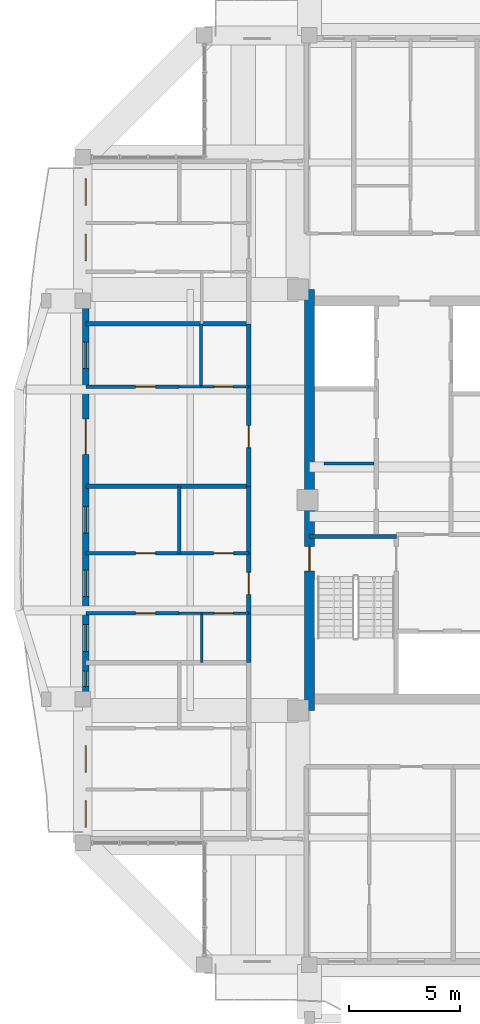
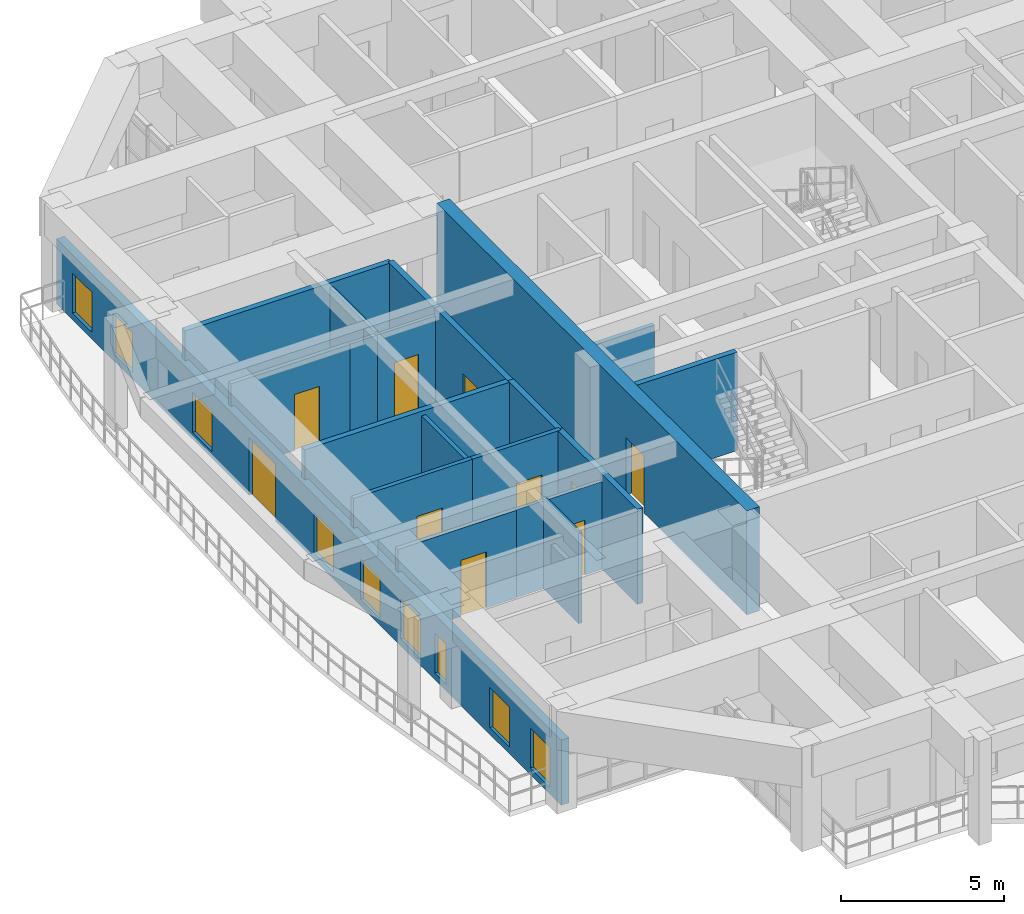
# One storey, part 17 of 27: 22 walls, 10 doors, 9 windows, 19 openings.
"""IFC4 building model written with IfcOpenShell, lengths in metres."""

from ifc_helpers import new_model, si_unit, direction, frame, frame_2d, origin, place, context, subcontext, project, spatial, rectangle, extrude, source, transform, mapped, material, layer, layer_set, type_object, element, fill, save


model = new_model("IFC4")

# Units and contexts
model_context = context("Model", 3, precision=1e-05, world=origin(), true_north=direction((0.0, 1.0)))
body_context = subcontext(model_context, "Body", "Model", "MODEL_VIEW")
ifc_project = project(units=[si_unit("LENGTHUNIT", "METRE"), si_unit("AREAUNIT", "SQUARE_METRE"), si_unit("VOLUMEUNIT", "CUBIC_METRE"), si_unit("PLANEANGLEUNIT", "RADIAN"), si_unit("MASSUNIT", "GRAM", prefix="KILO")], contexts=[model_context])

# Site, building, storey
site_placement = place(None, origin())
site = spatial("IfcSite", under=ifc_project, at=site_placement, CompositionType="ELEMENT")
building_placement = place(site_placement, origin())
building = spatial("IfcBuilding", under=site, at=building_placement, Name="Saelheon Loggia Tower", CompositionType="ELEMENT")
storey_placement = place(building_placement, frame((0.0, 0.0, 236.10009765625)))
storey = spatial("IfcBuildingStorey", under=building, at=storey_placement, Name="L73", CompositionType="ELEMENT", Elevation=236.10009765625)

# Wall, opening, door
ifc_material_1 = material(Name="Concrete C45/55", Category="concrete")
ifc_layer_1 = layer(ifc_material_1, 0.449951171875)
ifc_layer_set_1 = layer_set([ifc_layer_1], Name="Concrete C45/55")
wall_type_1 = type_object("IfcWallType", Name="Wall_CoreShear_450", PredefinedType="SHEAR", material=ifc_layer_set_1)
wall_1_placement = place(storey_placement, frame((31.5, 17.47998046875, 0.0), z_axis=(0.0, 0.0, 1.0), x_axis=(0.0, 1.0, 0.0)))
wall_1 = element("IfcWall", 1, at=wall_1_placement, inside=storey, type_object=wall_type_1, Name="L73 Core Shear Wall West", PredefinedType="SHEAR", context=body_context, shape_type="SweptSolid", body=[
    extrude(rectangle(XDim=19.0400390625, YDim=0.449951171875, at=frame_2d((9.52001953125, 0.0))), origin(), (0.0, 0.0, 1.0), 3.89990234375),
])
opening_1_placement = place(wall_1_placement, frame((6.320068359375, 0.0, 0.0)))
opening_1 = element("IfcOpeningElement", 2, at=opening_1_placement, cuts=wall_1, Name="Opening D-FD2", PredefinedType="OPENING", context=body_context, shape_type="SweptSolid", body=[
    extrude(rectangle(XDim=1.10009765625, YDim=2.14990234375, at=frame_2d((0.550048828125, 1.074951171875))), frame((0.0, 0.237060546875, 0.0), z_axis=(0.0, -1.0, 0.0), x_axis=(1.0, 0.0, 0.0)), (0.0, 0.0, 1.0), 0.473876953125),
])
ifc_material_2 = material(Name="Galvanised Steel Fire Door", Category="steel")
door_type_1 = type_object("IfcDoorType", Name="Door_Fire_FD60_1100", OperationType="NOTDEFINED", PredefinedType="DOOR", material=ifc_material_2)
shared_shape_1 = source(origin(), body_context, "Body", "SweptSolid", [
    extrude(rectangle(XDim=1.10009765625, YDim=2.14990234375, at=frame_2d((0.550048828125, 1.074951171875))), frame((0.0, 0.02490234375, 0.0), z_axis=(0.0, -1.0, 0.0), x_axis=(1.0, 0.0, 0.0)), (0.0, 0.0, 1.0), 0.050048828125),
])
door_1_placement = place(opening_1_placement, origin())
door_1 = element("IfcDoor", 3, at=door_1_placement, inside=storey, type_object=door_type_1, Name="L73 Stair ST1 Corridor Door", OperationType="SINGLE_SWING_LEFT", OverallHeight=2.14990234375, OverallWidth=1.10009765625, PredefinedType="DOOR", context=body_context, shape_type="MappedRepresentation", body=[
    mapped(shared_shape_1, transform((0.0, 0.0, 0.0), scale=1.0)),
])
fill(opening_1, door_1)

# Wall, openings, windows, door
ifc_material_3 = material(Name="Architectural Precast Concrete C40/50", Category="concrete")
ifc_layer_2 = layer(ifc_material_3, 0.280029296875)
ifc_layer_set_2 = layer_set([ifc_layer_2], Name="Architectural Precast Concrete C40/50")
wall_type_2 = type_object("IfcWallType", Name="Wall_Ext_Loggia_280", PredefinedType="SOLIDWALL", material=ifc_layer_set_2)
wall_2_placement = place(storey_placement, frame((21.389892578125, 11.5, 0.0), z_axis=(0.0, 0.0, 1.0), x_axis=(0.0, 1.0, 0.0)))
wall_2 = element("IfcWall", 4, at=wall_2_placement, inside=storey, type_object=wall_type_2, Name="L73 West Loggia Inner Wall", PredefinedType="SOLIDWALL", context=body_context, shape_type="SweptSolid", body=[
    extrude(rectangle(XDim=31.0, YDim=0.280029296875, at=frame_2d((15.5, 0.0))), origin(), (0.0, 0.0, 1.0), 2.43994140625),
])
opening_2_placement = place(wall_2_placement, frame((0.7001953125, 0.0, 0.25)))
opening_2 = element("IfcOpeningElement", 5, at=opening_2_placement, cuts=wall_2, Name="Opening WN-03", PredefinedType="OPENING", context=body_context, shape_type="SweptSolid", body=[
    extrude(rectangle(XDim=1.199951171875, YDim=1.5, at=frame_2d((0.60009765625, 0.75))), frame((0.0, 0.152099609375, 0.0), z_axis=(0.0, -1.0, 0.0), x_axis=(1.0, 0.0, 0.0)), (0.0, 0.0, 1.0), 0.303955078125),
])
opening_3_placement = place(wall_2_placement, frame((3.1953125, 0.0, 0.25)))
opening_3 = element("IfcOpeningElement", 6, at=opening_3_placement, cuts=wall_2, Name="Opening WN-03", PredefinedType="OPENING", context=body_context, shape_type="SweptSolid", body=[
    extrude(rectangle(XDim=1.199951171875, YDim=1.5, at=frame_2d((0.60009765625, 0.75))), frame((0.0, 0.152099609375, 0.0), z_axis=(0.0, -1.0, 0.0), x_axis=(1.0, 0.0, 0.0)), (0.0, 0.0, 1.0), 0.303955078125),
])
opening_4_placement = place(wall_2_placement, frame((7.068115234375, 0.0, 0.25)))
opening_4 = element("IfcOpeningElement", 7, at=opening_4_placement, cuts=wall_2, Name="Opening WN-06", PredefinedType="OPENING", context=body_context, shape_type="SweptSolid", body=[
    extrude(rectangle(XDim=0.699951171875, YDim=1.5, at=frame_2d((0.35009765625, 0.75))), frame((0.0, 0.152099609375, 0.0), z_axis=(0.0, -1.0, 0.0), x_axis=(1.0, 0.0, 0.0)), (0.0, 0.0, 1.0), 0.303955078125),
])
opening_5_placement = place(wall_2_placement, frame((8.66162109375, 0.0, 0.25)))
opening_5 = element("IfcOpeningElement", 8, at=opening_5_placement, cuts=wall_2, Name="Opening WN-03", PredefinedType="OPENING", context=body_context, shape_type="SweptSolid", body=[
    extrude(rectangle(XDim=1.199951171875, YDim=1.5, at=frame_2d((0.60009765625, 0.75))), frame((0.0, 0.152099609375, 0.0), z_axis=(0.0, -1.0, 0.0), x_axis=(1.0, 0.0, 0.0)), (0.0, 0.0, 1.0), 0.303955078125),
])
opening_6_placement = place(wall_2_placement, frame((11.13134765625, 0.0, 0.25)))
opening_6 = element("IfcOpeningElement", 9, at=opening_6_placement, cuts=wall_2, Name="Opening WN-03", PredefinedType="OPENING", context=body_context, shape_type="SweptSolid", body=[
    extrude(rectangle(XDim=1.199951171875, YDim=1.5, at=frame_2d((0.60009765625, 0.75))), frame((0.0, 0.152099609375, 0.0), z_axis=(0.0, -1.0, 0.0), x_axis=(1.0, 0.0, 0.0)), (0.0, 0.0, 1.0), 0.303955078125),
])
opening_7_placement = place(wall_2_placement, frame((13.999267578125, 0.0, 0.25)))
opening_7 = element("IfcOpeningElement", 10, at=opening_7_placement, cuts=wall_2, Name="Opening WN-03", PredefinedType="OPENING", context=body_context, shape_type="SweptSolid", body=[
    extrude(rectangle(XDim=1.199951171875, YDim=1.5, at=frame_2d((0.60009765625, 0.75))), frame((0.0, 0.152099609375, 0.0), z_axis=(0.0, -1.0, 0.0), x_axis=(1.0, 0.0, 0.0)), (0.0, 0.0, 1.0), 0.303955078125),
])
opening_8_placement = place(wall_2_placement, frame((17.564697265625, 0.0, 0.0)))
opening_8 = element("IfcOpeningElement", 11, at=opening_8_placement, cuts=wall_2, Name="Opening DLG-1", PredefinedType="OPENING", context=body_context, shape_type="SweptSolid", body=[
    extrude(rectangle(XDim=1.60009765625, YDim=2.14990234375, at=frame_2d((0.800048828125, 1.074951171875))), frame((0.0, 0.152099609375, 0.0), z_axis=(0.0, -1.0, 0.0), x_axis=(1.0, 0.0, 0.0)), (0.0, 0.0, 1.0), 0.303955078125),
])
opening_9_placement = place(wall_2_placement, frame((21.44140625, 0.0, 0.25)))
opening_9 = element("IfcOpeningElement", 12, at=opening_9_placement, cuts=wall_2, Name="Opening WN-03", PredefinedType="OPENING", context=body_context, shape_type="SweptSolid", body=[
    extrude(rectangle(XDim=1.199951171875, YDim=1.5, at=frame_2d((0.60009765625, 0.75))), frame((0.0, 0.152099609375, 0.0), z_axis=(0.0, -1.0, 0.0), x_axis=(1.0, 0.0, 0.0)), (0.0, 0.0, 1.0), 0.303955078125),
])
opening_10_placement = place(wall_2_placement, frame((26.32275390625, 0.0, 0.25)))
opening_10 = element("IfcOpeningElement", 13, at=opening_10_placement, cuts=wall_2, Name="Opening WN-03", PredefinedType="OPENING", context=body_context, shape_type="SweptSolid", body=[
    extrude(rectangle(XDim=1.199951171875, YDim=1.5, at=frame_2d((0.60009765625, 0.75))), frame((0.0, 0.152099609375, 0.0), z_axis=(0.0, -1.0, 0.0), x_axis=(1.0, 0.0, 0.0)), (0.0, 0.0, 1.0), 0.303955078125),
])
opening_11_placement = place(wall_2_placement, frame((28.81787109375, 0.0, 0.25)))
opening_11 = element("IfcOpeningElement", 14, at=opening_11_placement, cuts=wall_2, Name="Opening WN-03", PredefinedType="OPENING", context=body_context, shape_type="SweptSolid", body=[
    extrude(rectangle(XDim=1.199951171875, YDim=1.5, at=frame_2d((0.60009765625, 0.75))), frame((0.0, 0.152099609375, 0.0), z_axis=(0.0, -1.0, 0.0), x_axis=(1.0, 0.0, 0.0)), (0.0, 0.0, 1.0), 0.303955078125),
])
ifc_material_4 = material(Name="Thermal-Break Aluminium and Triple Low-E Glass", Category="aluminium")
window_type_1 = type_object("IfcWindowType", Name="Win_Slot_700x1500", PartitioningType="SINGLE_PANEL", PredefinedType="WINDOW", material=ifc_material_4)
shared_shape_2 = source(origin(), body_context, "Body", "SweptSolid", [
    extrude(rectangle(XDim=0.699951171875, YDim=1.5, at=frame_2d((0.35009765625, 0.75))), frame((0.0, 0.030029296875, 0.0), z_axis=(0.0, -1.0, 0.0), x_axis=(1.0, 0.0, 0.0)), (0.0, 0.0, 1.0), 0.06005859375),
])
window_1_placement = place(opening_4_placement, origin())
window_1 = element("IfcWindow", 15, at=window_1_placement, inside=storey, type_object=window_type_1, Name="L73 W Dwelling Window 3", OverallHeight=1.5, OverallWidth=0.699951171875, PartitioningType="SINGLE_PANEL", PredefinedType="WINDOW", context=body_context, shape_type="MappedRepresentation", body=[
    mapped(shared_shape_2, transform((0.0, 0.0, 0.0), scale=1.0)),
])
fill(opening_4, window_1)
window_type_2 = type_object("IfcWindowType", Name="Win_Bedroom_1200x1500", PartitioningType="SINGLE_PANEL", PredefinedType="WINDOW", material=ifc_material_4)
shared_shape_3 = source(origin(), body_context, "Body", "SweptSolid", [
    extrude(rectangle(XDim=1.199951171875, YDim=1.5, at=frame_2d((0.60009765625, 0.75))), frame((0.0, 0.030029296875, 0.0), z_axis=(0.0, -1.0, 0.0), x_axis=(1.0, 0.0, 0.0)), (0.0, 0.0, 1.0), 0.06005859375),
])
window_2_placement = place(opening_2_placement, origin())
window_2 = element("IfcWindow", 16, at=window_2_placement, inside=storey, type_object=window_type_2, Name="L73 W Dwelling Window 1", OverallHeight=1.5, OverallWidth=1.199951171875, PartitioningType="SINGLE_PANEL", PredefinedType="WINDOW", context=body_context, shape_type="MappedRepresentation", body=[
    mapped(shared_shape_3, transform((0.0, 0.0, 0.0), scale=1.0)),
])
fill(opening_2, window_2)
window_3_placement = place(opening_3_placement, origin())
window_3 = element("IfcWindow", 17, at=window_3_placement, inside=storey, type_object=window_type_2, Name="L73 W Dwelling Window 2", OverallHeight=1.5, OverallWidth=1.199951171875, PartitioningType="SINGLE_PANEL", PredefinedType="WINDOW", context=body_context, shape_type="MappedRepresentation", body=[
    mapped(shared_shape_3, transform((0.0, 0.0, 0.0), scale=1.0)),
])
fill(opening_3, window_3)
window_4_placement = place(opening_5_placement, origin())
window_4 = element("IfcWindow", 18, at=window_4_placement, inside=storey, type_object=window_type_2, Name="L73 W Dwelling Window 4", OverallHeight=1.5, OverallWidth=1.199951171875, PartitioningType="SINGLE_PANEL", PredefinedType="WINDOW", context=body_context, shape_type="MappedRepresentation", body=[
    mapped(shared_shape_3, transform((0.0, 0.0, 0.0), scale=1.0)),
])
fill(opening_5, window_4)
window_5_placement = place(opening_6_placement, origin())
window_5 = element("IfcWindow", 19, at=window_5_placement, inside=storey, type_object=window_type_2, Name="L73 W Dwelling Window 5", OverallHeight=1.5, OverallWidth=1.199951171875, PartitioningType="SINGLE_PANEL", PredefinedType="WINDOW", context=body_context, shape_type="MappedRepresentation", body=[
    mapped(shared_shape_3, transform((0.0, 0.0, 0.0), scale=1.0)),
])
fill(opening_6, window_5)
window_6_placement = place(opening_7_placement, origin())
window_6 = element("IfcWindow", 20, at=window_6_placement, inside=storey, type_object=window_type_2, Name="L73 W Dwelling Window 6", OverallHeight=1.5, OverallWidth=1.199951171875, PartitioningType="SINGLE_PANEL", PredefinedType="WINDOW", context=body_context, shape_type="MappedRepresentation", body=[
    mapped(shared_shape_3, transform((0.0, 0.0, 0.0), scale=1.0)),
])
fill(opening_7, window_6)
window_7_placement = place(opening_9_placement, origin())
window_7 = element("IfcWindow", 21, at=window_7_placement, inside=storey, type_object=window_type_2, Name="L73 W Dwelling Window 8", OverallHeight=1.5, OverallWidth=1.199951171875, PartitioningType="SINGLE_PANEL", PredefinedType="WINDOW", context=body_context, shape_type="MappedRepresentation", body=[
    mapped(shared_shape_3, transform((0.0, 0.0, 0.0), scale=1.0)),
])
fill(opening_9, window_7)
window_8_placement = place(opening_10_placement, origin())
window_8 = element("IfcWindow", 22, at=window_8_placement, inside=storey, type_object=window_type_2, Name="L73 W Dwelling Window 9", OverallHeight=1.5, OverallWidth=1.199951171875, PartitioningType="SINGLE_PANEL", PredefinedType="WINDOW", context=body_context, shape_type="MappedRepresentation", body=[
    mapped(shared_shape_3, transform((0.0, 0.0, 0.0), scale=1.0)),
])
fill(opening_10, window_8)
window_9_placement = place(opening_11_placement, origin())
window_9 = element("IfcWindow", 23, at=window_9_placement, inside=storey, type_object=window_type_2, Name="L73 W Dwelling Window 10", OverallHeight=1.5, OverallWidth=1.199951171875, PartitioningType="SINGLE_PANEL", PredefinedType="WINDOW", context=body_context, shape_type="MappedRepresentation", body=[
    mapped(shared_shape_3, transform((0.0, 0.0, 0.0), scale=1.0)),
])
fill(opening_11, window_9)
ifc_material_5 = material(Name="Thermal-Break Aluminium Sliding Glazed Door", Category="aluminium")
door_type_2 = type_object("IfcDoorType", Name="Door_LoggiaSlide_1600", OperationType="SLIDING_TO_LEFT", PredefinedType="DOOR", material=ifc_material_5)
shared_shape_4 = source(origin(), body_context, "Body", "SweptSolid", [
    extrude(rectangle(XDim=1.60009765625, YDim=2.14990234375, at=frame_2d((0.800048828125, 1.074951171875))), frame((0.0, 0.02490234375, 0.0), z_axis=(0.0, -1.0, 0.0), x_axis=(1.0, 0.0, 0.0)), (0.0, 0.0, 1.0), 0.050048828125),
])
door_2_placement = place(opening_8_placement, origin())
door_2 = element("IfcDoor", 24, at=door_2_placement, inside=storey, type_object=door_type_2, Name="L73 W Loggia Access Door", OperationType="SLIDING_TO_LEFT", OverallHeight=2.14990234375, OverallWidth=1.60009765625, PredefinedType="DOOR", context=body_context, shape_type="MappedRepresentation", body=[
    mapped(shared_shape_4, transform((0.0, 0.0, 0.0), scale=1.0)),
])
fill(opening_8, door_2)

# Walls
ifc_material_6 = material(Name="Lightweight Autoclaved Aerated Concrete Block and Acoustic Gypsum", Category="concrete")
ifc_layer_3 = layer(ifc_material_6, 0.14990234375)
ifc_layer_set_3 = layer_set([ifc_layer_3], Name="Lightweight Autoclaved Aerated Concrete Block and Acoustic Gypsum")
wall_type_3 = type_object("IfcWallType", Name="Wall_Part_150", PredefinedType="PARTITIONING", material=ifc_layer_set_3)
wall_3_placement = place(storey_placement, frame((32.14990234375, 28.64990234375, 0.0), z_axis=(0.0, 0.0, 1.0), x_axis=(1.0, 0.0, 0.0)))
element("IfcWall", 25, at=wall_3_placement, inside=storey, type_object=wall_type_3, Name="L73 Freed Core Partition PL", PredefinedType="PARTITIONING", context=body_context, shape_type="SweptSolid", body=[
    extrude(rectangle(XDim=2.27001953125, YDim=0.14990234375, at=frame_2d((1.135009765625, 0.0))), origin(), (0.0, 0.0, 1.0), 3.039794921875),
])
wall_4_placement = place(storey_placement, frame((25.610107421875, 24.585693359375, 0.0), z_axis=(0.0, 0.0, 1.0), x_axis=(0.0, 1.0, 0.0)))
element("IfcWall", 26, at=wall_4_placement, inside=storey, type_object=wall_type_3, Name="L73 W Partition V18", PredefinedType="PARTITIONING", context=body_context, shape_type="SweptSolid", body=[
    extrude(rectangle(XDim=3.027099609375, YDim=0.14990234375, at=frame_2d((1.513671875, 0.0))), origin(), (0.0, 0.0, 1.0), 3.389892578125),
])

# Wall, opening, door
wall_5_placement = place(storey_placement, frame((25.610107421875, 21.876953125, 0.0), z_axis=(0.0, 0.0, 1.0), x_axis=(-1.0, 0.0, 0.0)))
wall_5 = element("IfcWall", 27, at=wall_5_placement, inside=storey, type_object=wall_type_3, Name="L73 W Partition U21", PredefinedType="PARTITIONING", context=body_context, shape_type="SweptSolid", body=[
    extrude(rectangle(XDim=4.210205078125, YDim=0.14990234375, at=frame_2d((2.10498046875, 0.0))), origin(), (0.0, 0.0, 1.0), 3.289794921875),
])
opening_12_placement = place(wall_5_placement, frame((1.0654296875, 0.0, 0.0)))
opening_12 = element("IfcOpeningElement", 28, at=opening_12_placement, cuts=wall_5, Name="Opening D-IN2", PredefinedType="OPENING", context=body_context, shape_type="SweptSolid", body=[
    extrude(rectangle(XDim=0.89990234375, YDim=2.10009765625, at=frame_2d((0.449951171875, 1.050048828125))), frame((0.0, 0.0869140625, 0.0), z_axis=(0.0, -1.0, 0.0), x_axis=(1.0, 0.0, 0.0)), (0.0, 0.0, 1.0), 0.173828125),
])
ifc_material_7 = material(Name="Engineered Oak Flush Door", Category="timber")
door_type_3 = type_object("IfcDoorType", Name="Door_Int_900", OperationType="NOTDEFINED", PredefinedType="DOOR", material=ifc_material_7)
shared_shape_5 = source(origin(), body_context, "Body", "SweptSolid", [
    extrude(rectangle(XDim=0.89990234375, YDim=2.10009765625, at=frame_2d((0.449951171875, 1.050048828125))), frame((0.0, 0.02490234375, 0.0), z_axis=(0.0, -1.0, 0.0), x_axis=(1.0, 0.0, 0.0)), (0.0, 0.0, 1.0), 0.050048828125),
])
door_3_placement = place(opening_12_placement, origin())
door_3 = element("IfcDoor", 29, at=door_3_placement, inside=storey, type_object=door_type_3, Name="Unit U06 Kitchen Door", OperationType="SINGLE_SWING_LEFT", OverallHeight=2.10009765625, OverallWidth=0.89990234375, PredefinedType="DOOR", context=body_context, shape_type="MappedRepresentation", body=[
    mapped(shared_shape_5, transform((0.0, 0.0, 0.0), scale=1.0)),
])
fill(opening_12, door_3)

wall_6_placement = place(storey_placement, frame((28.75, 24.585693359375, 0.0), z_axis=(0.0, 0.0, 1.0), x_axis=(-1.0, 0.0, 0.0)))
wall_6 = element("IfcWall", 30, at=wall_6_placement, inside=storey, type_object=wall_type_3, Name="L73 W Partition U22", PredefinedType="PARTITIONING", context=body_context, shape_type="SweptSolid", body=[
    extrude(rectangle(XDim=3.139892578125, YDim=0.14990234375, at=frame_2d((1.56982421875, 0.0))), origin(), (0.0, 0.0, 1.0), 3.559814453125),
])
opening_13_placement = place(wall_6_placement, frame((0.679931640625, 0.0, 0.0)))
opening_13 = element("IfcOpeningElement", 31, at=opening_13_placement, cuts=wall_6, Name="Opening D-IN2", PredefinedType="OPENING", context=body_context, shape_type="SweptSolid", body=[
    extrude(rectangle(XDim=0.89990234375, YDim=2.10009765625, at=frame_2d((0.449951171875, 1.050048828125))), frame((0.0, 0.0869140625, 0.0), z_axis=(0.0, -1.0, 0.0), x_axis=(1.0, 0.0, 0.0)), (0.0, 0.0, 1.0), 0.173828125),
])
door_4_placement = place(opening_13_placement, origin())
door_4 = element("IfcDoor", 32, at=door_4_placement, inside=storey, type_object=door_type_3, Name="Unit U06 Dressing Closet Door", OperationType="SINGLE_SWING_RIGHT", OverallHeight=2.10009765625, OverallWidth=0.89990234375, PredefinedType="DOOR", context=body_context, shape_type="MappedRepresentation", body=[
    mapped(shared_shape_5, transform((0.0, 0.0, 0.0), scale=1.0)),
])
fill(opening_13, door_4)

wall_7_placement = place(storey_placement, frame((25.610107421875, 24.585693359375, 0.0), z_axis=(0.0, 0.0, 1.0), x_axis=(-1.0, 0.0, 0.0)))
wall_7 = element("IfcWall", 33, at=wall_7_placement, inside=storey, type_object=wall_type_3, Name="L73 W Partition U23", PredefinedType="PARTITIONING", context=body_context, shape_type="SweptSolid", body=[
    extrude(rectangle(XDim=4.210205078125, YDim=0.14990234375, at=frame_2d((2.10498046875, 0.0))), origin(), (0.0, 0.0, 1.0), 3.559814453125),
])
opening_14_placement = place(wall_7_placement, frame((1.0654296875, 0.0, 0.0)))
opening_14 = element("IfcOpeningElement", 34, at=opening_14_placement, cuts=wall_7, Name="Opening D-IN2", PredefinedType="OPENING", context=body_context, shape_type="SweptSolid", body=[
    extrude(rectangle(XDim=0.89990234375, YDim=2.10009765625, at=frame_2d((0.449951171875, 1.050048828125))), frame((0.0, 0.0869140625, 0.0), z_axis=(0.0, -1.0, 0.0), x_axis=(1.0, 0.0, 0.0)), (0.0, 0.0, 1.0), 0.173828125),
])
door_5_placement = place(opening_14_placement, origin())
door_5 = element("IfcDoor", 35, at=door_5_placement, inside=storey, type_object=door_type_3, Name="Unit U06 Bedroom 1 Door", OperationType="SINGLE_SWING_LEFT", OverallHeight=2.10009765625, OverallWidth=0.89990234375, PredefinedType="DOOR", context=body_context, shape_type="MappedRepresentation", body=[
    mapped(shared_shape_5, transform((0.0, 0.0, 0.0), scale=1.0)),
])
fill(opening_14, door_5)

wall_8_placement = place(storey_placement, frame((25.610107421875, 32.116455078125, 0.0), z_axis=(0.0, 0.0, 1.0), x_axis=(-1.0, 0.0, 0.0)))
wall_8 = element("IfcWall", 36, at=wall_8_placement, inside=storey, type_object=wall_type_3, Name="L73 W Partition U30", PredefinedType="PARTITIONING", context=body_context, shape_type="SweptSolid", body=[
    extrude(rectangle(XDim=4.210205078125, YDim=0.14990234375, at=frame_2d((2.10498046875, 0.0))), origin(), (0.0, 0.0, 1.0), 3.289794921875),
])
opening_15_placement = place(wall_8_placement, frame((1.0654296875, 0.0, 0.0)))
opening_15 = element("IfcOpeningElement", 37, at=opening_15_placement, cuts=wall_8, Name="Opening D-IN2", PredefinedType="OPENING", context=body_context, shape_type="SweptSolid", body=[
    extrude(rectangle(XDim=0.89990234375, YDim=2.10009765625, at=frame_2d((0.449951171875, 1.050048828125))), frame((0.0, 0.0869140625, 0.0), z_axis=(0.0, -1.0, 0.0), x_axis=(1.0, 0.0, 0.0)), (0.0, 0.0, 1.0), 0.173828125),
])
door_6_placement = place(opening_15_placement, origin())
door_6 = element("IfcDoor", 38, at=door_6_placement, inside=storey, type_object=door_type_3, Name="Unit U07 Kitchen Door", OperationType="SINGLE_SWING_RIGHT", OverallHeight=2.10009765625, OverallWidth=0.89990234375, PredefinedType="DOOR", context=body_context, shape_type="MappedRepresentation", body=[
    mapped(shared_shape_5, transform((0.0, 0.0, 0.0), scale=1.0)),
])
fill(opening_15, door_6)

# Wall
ifc_material_8 = material(Name="Double Acoustic Stud and Fireboard Partition", Category="gypsum")
ifc_layer_4 = layer(ifc_material_8, 0.199951171875)
ifc_layer_set_4 = layer_set([ifc_layer_4], Name="Double Acoustic Stud and Fireboard Partition")
wall_type_4 = type_object("IfcWallType", Name="Wall_Party_200", PredefinedType="PARTITIONING", material=ifc_layer_set_4)
wall_9_placement = place(storey_placement, frame((28.75, 19.646484375, 0.0), z_axis=(0.0, 0.0, 1.0), x_axis=(0.0, 1.0, 0.0)))
element("IfcWall", 39, at=wall_9_placement, inside=storey, type_object=wall_type_4, Name="L73 W Partition V14", PredefinedType="PARTITIONING", context=body_context, shape_type="SweptSolid", body=[
    extrude(rectangle(XDim=2.23046875, YDim=0.199951171875, at=frame_2d((1.115234375, 0.0))), origin(), (0.0, 0.0, 1.0), 3.559814453125),
])

# Wall, opening, door
wall_10_placement = place(storey_placement, frame((28.75, 21.876953125, 0.0), z_axis=(0.0, 0.0, 1.0), x_axis=(0.0, 1.0, 0.0)))
wall_10 = element("IfcWall", 40, at=wall_10_placement, inside=storey, type_object=wall_type_4, Name="L73 W Partition V15", PredefinedType="PARTITIONING", context=body_context, shape_type="SweptSolid", body=[
    extrude(rectangle(XDim=2.708740234375, YDim=0.199951171875, at=frame_2d((1.3544921875, 0.0))), origin(), (0.0, 0.0, 1.0), 3.559814453125),
])
opening_16_placement = place(wall_10_placement, frame((0.854248046875, 0.0, 0.0)))
opening_16 = element("IfcOpeningElement", 41, at=opening_16_placement, cuts=wall_10, Name="Opening D-FD1", PredefinedType="OPENING", context=body_context, shape_type="SweptSolid", body=[
    extrude(rectangle(XDim=1.0, YDim=2.14990234375, at=frame_2d((0.5, 1.074951171875))), frame((0.0, 0.112060546875, 0.0), z_axis=(0.0, -1.0, 0.0), x_axis=(1.0, 0.0, 0.0)), (0.0, 0.0, 1.0), 0.223876953125),
])
ifc_material_9 = material(Name="Fire-Rated Engineered Timber Entrance Door", Category="wood")
door_type_4 = type_object("IfcDoorType", Name="Door_Flat_FD30S", OperationType="NOTDEFINED", PredefinedType="DOOR", material=ifc_material_9)
shared_shape_6 = source(origin(), body_context, "Body", "SweptSolid", [
    extrude(rectangle(XDim=1.0, YDim=2.14990234375, at=frame_2d((0.5, 1.074951171875))), frame((0.0, 0.02490234375, 0.0), z_axis=(0.0, -1.0, 0.0), x_axis=(1.0, 0.0, 0.0)), (0.0, 0.0, 1.0), 0.050048828125),
])
door_7_placement = place(opening_16_placement, origin())
door_7 = element("IfcDoor", 42, at=door_7_placement, inside=storey, type_object=door_type_4, Name="Unit U06 Entrance Door", OperationType="SINGLE_SWING_LEFT", OverallHeight=2.14990234375, OverallWidth=1.0, PredefinedType="DOOR", context=body_context, shape_type="MappedRepresentation", body=[
    mapped(shared_shape_6, transform((0.0, 0.0, 0.0), scale=1.0)),
])
fill(opening_16, door_7)

# Walls
wall_11_placement = place(storey_placement, frame((28.75, 24.585693359375, 0.0), z_axis=(0.0, 0.0, 1.0), x_axis=(0.0, 1.0, 0.0)))
element("IfcWall", 43, at=wall_11_placement, inside=storey, type_object=wall_type_4, Name="L73 W Partition V16", PredefinedType="PARTITIONING", context=body_context, shape_type="SweptSolid", body=[
    extrude(rectangle(XDim=3.027099609375, YDim=0.199951171875, at=frame_2d((1.513671875, 0.0))), origin(), (0.0, 0.0, 1.0), 3.559814453125),
])
wall_12_placement = place(storey_placement, frame((28.75, 27.61279296875, 0.0), z_axis=(0.0, 0.0, 1.0), x_axis=(-1.0, 0.0, 0.0)))
element("IfcWall", 44, at=wall_12_placement, inside=storey, type_object=wall_type_4, Name="L73 W Partition U24", PredefinedType="PARTITIONING", context=body_context, shape_type="SweptSolid", body=[
    extrude(rectangle(XDim=7.35009765625, YDim=0.199951171875, at=frame_2d((3.675048828125, 0.0))), origin(), (0.0, 0.0, 1.0), 3.559814453125),
])

# Wall, opening, door
wall_13_placement = place(storey_placement, frame((28.75, 27.61279296875, 0.0), z_axis=(0.0, 0.0, 1.0), x_axis=(0.0, 1.0, 0.0)))
wall_13 = element("IfcWall", 45, at=wall_13_placement, inside=storey, type_object=wall_type_4, Name="L73 W Partition V25", PredefinedType="PARTITIONING", context=body_context, shape_type="SweptSolid", body=[
    extrude(rectangle(XDim=4.503662109375, YDim=0.199951171875, at=frame_2d((2.251953125, 0.0))), origin(), (0.0, 0.0, 1.0), 3.559814453125),
])
opening_17_placement = place(wall_13_placement, frame((1.751708984375, 0.0, 0.0)))
opening_17 = element("IfcOpeningElement", 46, at=opening_17_placement, cuts=wall_13, Name="Opening D-FD1", PredefinedType="OPENING", context=body_context, shape_type="SweptSolid", body=[
    extrude(rectangle(XDim=1.0, YDim=2.14990234375, at=frame_2d((0.5, 1.074951171875))), frame((0.0, 0.112060546875, 0.0), z_axis=(0.0, -1.0, 0.0), x_axis=(1.0, 0.0, 0.0)), (0.0, 0.0, 1.0), 0.223876953125),
])
door_8_placement = place(opening_17_placement, origin())
door_8 = element("IfcDoor", 47, at=door_8_placement, inside=storey, type_object=door_type_4, Name="Unit U07 Entrance Door", OperationType="SINGLE_SWING_RIGHT", OverallHeight=2.14990234375, OverallWidth=1.0, PredefinedType="DOOR", context=body_context, shape_type="MappedRepresentation", body=[
    mapped(shared_shape_6, transform((0.0, 0.0, 0.0), scale=1.0)),
])
fill(opening_17, door_8)

# Walls
wall_14_placement = place(storey_placement, frame((28.75, 32.116455078125, 0.0), z_axis=(0.0, 0.0, 1.0), x_axis=(0.0, 1.0, 0.0)))
element("IfcWall", 48, at=wall_14_placement, inside=storey, type_object=wall_type_4, Name="L73 W Partition V26", PredefinedType="PARTITIONING", context=body_context, shape_type="SweptSolid", body=[
    extrude(rectangle(XDim=2.849853515625, YDim=0.199951171875, at=frame_2d((1.4248046875, 0.0))), origin(), (0.0, 0.0, 1.0), 3.559814453125),
])
wall_15_placement = place(storey_placement, frame((28.75, 34.96630859375, 0.0), z_axis=(0.0, 0.0, 1.0), x_axis=(-1.0, 0.0, 0.0)))
element("IfcWall", 49, at=wall_15_placement, inside=storey, type_object=wall_type_4, Name="L73 W Partition U31", PredefinedType="PARTITIONING", context=body_context, shape_type="SweptSolid", body=[
    extrude(rectangle(XDim=7.35009765625, YDim=0.199951171875, at=frame_2d((3.675048828125, 0.0))), origin(), (0.0, 0.0, 1.0), 3.559814453125),
])
ifc_layer_5 = layer(ifc_material_1, 0.199951171875)
ifc_layer_set_5 = layer_set([ifc_layer_5], Name="Concrete C45/55")
wall_type_5 = type_object("IfcWallType", Name="Wall_StairShaft_RC200", PredefinedType="SOLIDWALL", material=ifc_layer_set_5)
wall_16_placement = place(storey_placement, frame((31.5, 25.35009765625, 0.0), z_axis=(0.0, 0.0, 1.0), x_axis=(1.0, 0.0, 0.0)))
element("IfcWall", 50, at=wall_16_placement, inside=storey, type_object=wall_type_5, Name="L73 Stair ST1 North Wall", PredefinedType="SOLIDWALL", context=body_context, shape_type="SweptSolid", body=[
    extrude(rectangle(XDim=3.929931640625, YDim=0.199951171875, at=frame_2d((1.96484375, 0.0))), origin(), (0.0, 0.0, 1.0), 3.68994140625),
])
ifc_material_10 = material(Name="Moisture-Resistant Cement Board Partition", Category="gypsum")
ifc_layer_6 = layer(ifc_material_10, 0.1201171875)
ifc_layer_set_6 = layer_set([ifc_layer_6], Name="Moisture-Resistant Cement Board Partition")
wall_type_6 = type_object("IfcWallType", Name="Wall_WetPart_120", PredefinedType="PARTITIONING", material=ifc_layer_set_6)
wall_17_placement = place(storey_placement, frame((26.6298828125, 19.646484375, 0.0), z_axis=(0.0, 0.0, 1.0), x_axis=(0.0, 1.0, 0.0)))
element("IfcWall", 51, at=wall_17_placement, inside=storey, type_object=wall_type_6, Name="L73 W Partition V17", PredefinedType="PARTITIONING", context=body_context, shape_type="SweptSolid", body=[
    extrude(rectangle(XDim=2.23046875, YDim=0.1201171875, at=frame_2d((1.115234375, 0.0))), origin(), (0.0, 0.0, 1.0), 3.389892578125),
])

# Wall, opening, door
wall_18_placement = place(storey_placement, frame((28.75, 21.876953125, 0.0), z_axis=(0.0, 0.0, 1.0), x_axis=(-1.0, 0.0, 0.0)))
wall_18 = element("IfcWall", 52, at=wall_18_placement, inside=storey, type_object=wall_type_6, Name="L73 W Partition U19", PredefinedType="PARTITIONING", context=body_context, shape_type="SweptSolid", body=[
    extrude(rectangle(XDim=2.1201171875, YDim=0.1201171875, at=frame_2d((1.06005859375, 0.0))), origin(), (0.0, 0.0, 1.0), 3.289794921875),
])
opening_18_placement = place(wall_18_placement, frame((0.70068359375, 0.0, 0.0)))
opening_18 = element("IfcOpeningElement", 53, at=opening_18_placement, cuts=wall_18, Name="Opening D-BT1", PredefinedType="OPENING", context=body_context, shape_type="SweptSolid", body=[
    extrude(rectangle(XDim=0.85009765625, YDim=2.050048828125, at=frame_2d((0.425048828125, 1.02490234375))), frame((0.0, 0.072021484375, 0.0), z_axis=(0.0, -1.0, 0.0), x_axis=(1.0, 0.0, 0.0)), (0.0, 0.0, 1.0), 0.14404296875),
])
ifc_material_11 = material(Name="Moisture-Resistant Laminate Timber Door", Category="wood")
door_type_5 = type_object("IfcDoorType", Name="Door_Bath_850", OperationType="NOTDEFINED", PredefinedType="DOOR", material=ifc_material_11)
shared_shape_7 = source(origin(), body_context, "Body", "SweptSolid", [
    extrude(rectangle(XDim=0.85009765625, YDim=2.050048828125, at=frame_2d((0.425048828125, 1.02490234375))), frame((0.0, 0.02490234375, 0.0), z_axis=(0.0, -1.0, 0.0), x_axis=(1.0, 0.0, 0.0)), (0.0, 0.0, 1.0), 0.050048828125),
])
door_9_placement = place(opening_18_placement, origin())
door_9 = element("IfcDoor", 54, at=door_9_placement, inside=storey, type_object=door_type_5, Name="Unit U06 Bathroom Door", OperationType="SINGLE_SWING_RIGHT", OverallHeight=2.050048828125, OverallWidth=0.85009765625, PredefinedType="DOOR", context=body_context, shape_type="MappedRepresentation", body=[
    mapped(shared_shape_7, transform((0.0, 0.0, 0.0), scale=1.0)),
])
fill(opening_18, door_9)

# Wall
wall_19_placement = place(storey_placement, frame((26.6298828125, 21.876953125, 0.0), z_axis=(0.0, 0.0, 1.0), x_axis=(-1.0, 0.0, 0.0)))
element("IfcWall", 55, at=wall_19_placement, inside=storey, type_object=wall_type_6, Name="L73 W Partition U20", PredefinedType="PARTITIONING", context=body_context, shape_type="SweptSolid", body=[
    extrude(rectangle(XDim=1.019775390625, YDim=0.1201171875, at=frame_2d((0.509765625, 0.0))), origin(), (0.0, 0.0, 1.0), 3.289794921875),
])

# Wall, opening, door
wall_20_placement = place(storey_placement, frame((28.75, 32.116455078125, 0.0), z_axis=(0.0, 0.0, 1.0), x_axis=(-1.0, 0.0, 0.0)))
wall_20 = element("IfcWall", 56, at=wall_20_placement, inside=storey, type_object=wall_type_6, Name="L73 W Partition U27", PredefinedType="PARTITIONING", context=body_context, shape_type="SweptSolid", body=[
    extrude(rectangle(XDim=2.14990234375, YDim=0.1201171875, at=frame_2d((1.074951171875, 0.0))), origin(), (0.0, 0.0, 1.0), 3.289794921875),
])
opening_19_placement = place(wall_20_placement, frame((0.701171875, 0.0, 0.0)))
opening_19 = element("IfcOpeningElement", 57, at=opening_19_placement, cuts=wall_20, Name="Opening D-BT1", PredefinedType="OPENING", context=body_context, shape_type="SweptSolid", body=[
    extrude(rectangle(XDim=0.85009765625, YDim=2.050048828125, at=frame_2d((0.425048828125, 1.02490234375))), frame((0.0, 0.072021484375, 0.0), z_axis=(0.0, -1.0, 0.0), x_axis=(1.0, 0.0, 0.0)), (0.0, 0.0, 1.0), 0.14404296875),
])
door_10_placement = place(opening_19_placement, origin())
door_10 = element("IfcDoor", 58, at=door_10_placement, inside=storey, type_object=door_type_5, Name="Unit U07 Bathroom Door", OperationType="SINGLE_SWING_LEFT", OverallHeight=2.050048828125, OverallWidth=0.85009765625, PredefinedType="DOOR", context=body_context, shape_type="MappedRepresentation", body=[
    mapped(shared_shape_7, transform((0.0, 0.0, 0.0), scale=1.0)),
])
fill(opening_19, door_10)

# Walls
wall_21_placement = place(storey_placement, frame((26.60009765625, 32.116455078125, 0.0), z_axis=(0.0, 0.0, 1.0), x_axis=(-1.0, 0.0, 0.0)))
element("IfcWall", 59, at=wall_21_placement, inside=storey, type_object=wall_type_6, Name="L73 W Partition U28", PredefinedType="PARTITIONING", context=body_context, shape_type="SweptSolid", body=[
    extrude(rectangle(XDim=0.989990234375, YDim=0.1201171875, at=frame_2d((0.4951171875, 0.0))), origin(), (0.0, 0.0, 1.0), 3.289794921875),
])
wall_22_placement = place(storey_placement, frame((26.60009765625, 32.116455078125, 0.0), z_axis=(0.0, 0.0, 1.0), x_axis=(0.0, 1.0, 0.0)))
element("IfcWall", 60, at=wall_22_placement, inside=storey, type_object=wall_type_6, Name="L73 W Partition V29", PredefinedType="PARTITIONING", context=body_context, shape_type="SweptSolid", body=[
    extrude(rectangle(XDim=2.849853515625, YDim=0.1201171875, at=frame_2d((1.4248046875, 0.0))), origin(), (0.0, 0.0, 1.0), 3.389892578125),
])

save(model, "model.ifc")
